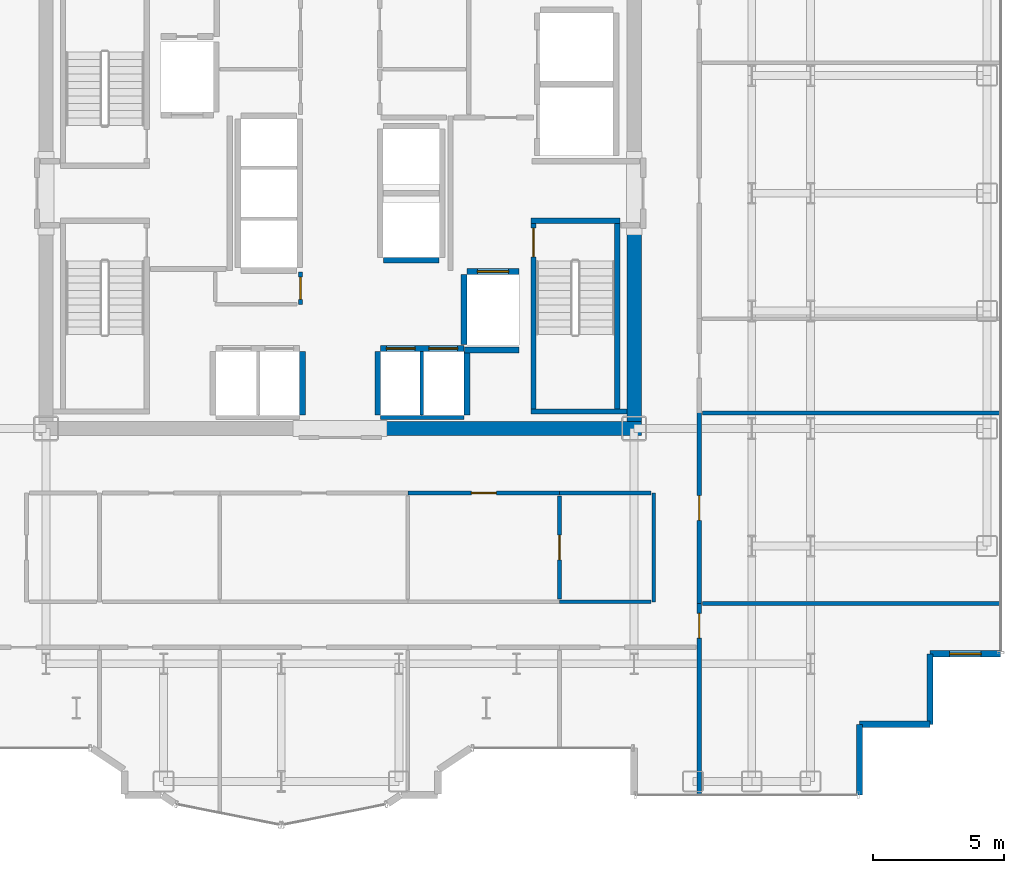
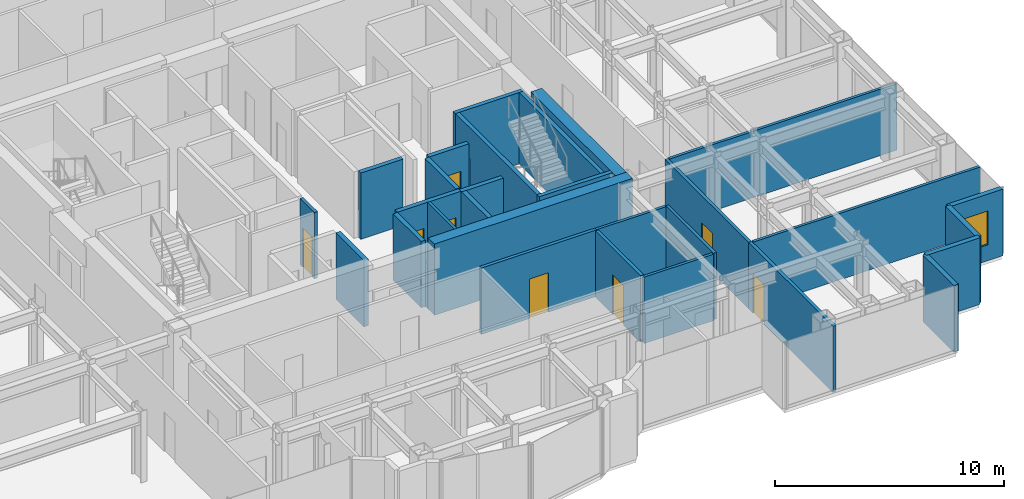
# One storey, part 19 of 23: 30 walls, 9 doors, 1 window, 10 openings.
"""IFC4 building model written with IfcOpenShell, lengths in metres."""

import ifcopenshell
import ifcopenshell.guid

model = None  # the IFC model being written
_history = None  # IfcOwnerHistory: only IFC2X3 demands one
_inside = {}  # id of a spatial element -> (the spatial element, [elements in it])
_under = {}  # id of a project, library or spatial element -> (it, [spatial elements below it])
_declared = {}  # id of a project -> (the project, [libraries it declares])
_typed = {}  # id of a type object -> (the type object, [elements of that type])
_made_of = {}  # id of a material, layer set ... -> (it, [elements and type objects made of it])


def new_model(schema):
    """Start an empty IFC model of exactly this schema.

    Asked for "IFC4X3", IfcOpenShell would pick the latest addendum, in which some entities
    have other attributes; the version numbers below select the first issue.
    IFC2X3 requires an IfcOwnerHistory on every rooted entity: one is made here for all.
    """
    global model, _history
    if schema == "IFC4X3":
        model = ifcopenshell.file(schema_version=(4, 3, 0, 0))
    else:
        model = ifcopenshell.file(schema=schema)
    _inside.clear()
    _under.clear()
    _declared.clear()
    _typed.clear()
    _made_of.clear()
    _history = None
    if model.schema == "IFC2X3":
        org = make("IfcOrganization", Name="unknown")
        user = make(
            "IfcPersonAndOrganization",
            ThePerson=make("IfcPerson", FamilyName="unknown"),
            TheOrganization=org,
        )
        app = make(
            "IfcApplication",
            ApplicationDeveloper=org,
            Version="unknown",
            ApplicationFullName="unknown",
            ApplicationIdentifier="unknown",
        )
        _history = make(
            "IfcOwnerHistory",
            OwningUser=user,
            OwningApplication=app,
            ChangeAction="ADDED",
            CreationDate=0,
        )
    return model


def make(cls, **values):
    """One entity of the class cls with the attributes given. An attribute that is None is left unset."""
    return model.create_entity(
        cls, **{name: value for name, value in values.items() if value is not None}
    )


def rooted(cls, **values):
    """An entity with a GlobalId (a new one), such as an element, a storey or a relation."""
    return make(cls, GlobalId=ifcopenshell.guid.new(), OwnerHistory=_history, **values)


def si_unit(unit_type, name, prefix=None):
    """IfcSIUnit, for example si_unit("LENGTHUNIT", "METRE", prefix="MILLI")."""
    return make("IfcSIUnit", UnitType=unit_type, Prefix=prefix, Name=name)


def assignment(units):
    """IfcUnitAssignment: the units of a project."""
    return None if units is None else make("IfcUnitAssignment", Units=units)


def point(xyz):
    """IfcCartesianPoint."""
    return None if xyz is None else make("IfcCartesianPoint", Coordinates=xyz)


def direction(xyz):
    """IfcDirection."""
    return None if xyz is None else make("IfcDirection", DirectionRatios=xyz)


def frame(location, z_axis=None, x_axis=None):
    """IfcAxis2Placement3D, a coordinate frame: its origin and axes. An axis left out is left unset."""
    return make(
        "IfcAxis2Placement3D",
        Location=point(location),
        Axis=direction(z_axis),
        RefDirection=direction(x_axis),
    )


def frame_2d(location, x_axis=None):
    """IfcAxis2Placement2D, a coordinate frame in the plane: its origin and x axis."""
    return make(
        "IfcAxis2Placement2D", Location=point(location), RefDirection=direction(x_axis)
    )


def origin():
    """The frame at (0, 0, 0) with its axes left unset."""
    return frame((0.0, 0.0, 0.0))


def place(relative_to, where):
    """IfcLocalPlacement: puts the frame where relative to a parent placement (None: the world)."""
    return make(
        "IfcLocalPlacement", PlacementRelTo=relative_to, RelativePlacement=where
    )


def context(
    kind, dimensions, precision=None, world=None, true_north=None, identifier=None
):
    """IfcGeometricRepresentationContext, for example the 3D "Model" context."""
    return make(
        "IfcGeometricRepresentationContext",
        ContextIdentifier=identifier,
        ContextType=kind,
        CoordinateSpaceDimension=dimensions,
        Precision=precision,
        WorldCoordinateSystem=world,
        TrueNorth=true_north,
    )


def subcontext(parent, identifier, kind, view, scale=None):
    """IfcGeometricRepresentationSubContext, for example "Body" below "Model"."""
    return make(
        "IfcGeometricRepresentationSubContext",
        ContextIdentifier=identifier,
        ContextType=kind,
        ParentContext=parent,
        TargetScale=scale,
        TargetView=view,
    )


def project(units=None, contexts=None):
    """IfcProject with its units and contexts."""
    return rooted(
        "IfcProject",
        Name="project",
        RepresentationContexts=contexts,
        UnitsInContext=assignment(units),
    )


def spatial(cls, under=None, at=None, **own):
    """A site, building, storey or space (cls), placed at a placement, below another one or the project."""
    s = rooted(cls, ObjectPlacement=at, **own)
    if under is not None:
        _under.setdefault(under.id(), (under, []))[1].append(s)
    return s


def profile(cls, at=None, kind="AREA", **sizes):
    """A parametric profile (cls). Its sizes go by their IFC names, for example OverallWidth=200.0."""
    return make(cls, ProfileType=kind, Position=at, **sizes)


def rectangle(**sizes):
    """IfcRectangleProfileDef."""
    return profile("IfcRectangleProfileDef", **sizes)


def extrude(swept, where, along, depth):
    """IfcExtrudedAreaSolid: the profile swept, set in the frame where, extruded along a direction by depth."""
    return make(
        "IfcExtrudedAreaSolid",
        SweptArea=swept,
        Position=where,
        ExtrudedDirection=direction(along),
        Depth=depth,
    )


def shape(context_of_items, identifier, shape_type, items):
    """IfcShapeRepresentation: the items that make up one representation, for example the "Body"."""
    return make(
        "IfcShapeRepresentation",
        ContextOfItems=context_of_items,
        RepresentationIdentifier=identifier,
        RepresentationType=shape_type,
        Items=items,
    )


def source(mapping_origin, context_of_items, identifier, shape_type, items):
    """IfcRepresentationMap: a shape defined once, which mapped items show again and again."""
    return make(
        "IfcRepresentationMap",
        MappingOrigin=mapping_origin,
        MappedRepresentation=shape(context_of_items, identifier, shape_type, items),
    )


def transform(
    local_origin,
    x_axis=None,
    y_axis=None,
    z_axis=None,
    scale=None,
    scale2=None,
    scale3=None,
    uniform=True,
):
    """IfcCartesianTransformationOperator3D, or its non-uniform kind. x_axis, y_axis, z_axis: its Axis1, 2, 3."""
    if uniform:
        return make(
            "IfcCartesianTransformationOperator3D",
            Axis1=direction(x_axis),
            Axis2=direction(y_axis),
            LocalOrigin=point(local_origin),
            Scale=scale,
            Axis3=direction(z_axis),
        )
    return make(
        "IfcCartesianTransformationOperator3DnonUniform",
        Axis1=direction(x_axis),
        Axis2=direction(y_axis),
        LocalOrigin=point(local_origin),
        Scale=scale,
        Axis3=direction(z_axis),
        Scale2=scale2,
        Scale3=scale3,
    )


def mapped(mapping_source, mapping_target):
    """IfcMappedItem: shows the shape of a source again, moved by a transform."""
    return make(
        "IfcMappedItem", MappingSource=mapping_source, MappingTarget=mapping_target
    )


def material(Name=None, Category=None):
    """IfcMaterial."""
    return make("IfcMaterial", Name=Name, Category=Category)


def layer(
    of_material, thickness, ventilated=None, Name=None, Category=None, Priority=None
):
    """IfcMaterialLayer: one layer of a wall or slab, of a material (None: an air gap)."""
    return make(
        "IfcMaterialLayer",
        Material=of_material,
        LayerThickness=thickness,
        IsVentilated=ventilated,
        Name=Name,
        Category=Category,
        Priority=Priority,
    )


def layer_set(layers, Name=None):
    """IfcMaterialLayerSet."""
    return make("IfcMaterialLayerSet", MaterialLayers=layers, LayerSetName=Name)


def made_of(thing, what):
    """Note that an element or type object is made of a material, layer set ...; save() writes the relation."""
    if what is not None:
        _made_of.setdefault(what.id(), (what, []))[1].append(thing)
    return thing


def type_object(cls, material=None, **own):
    """A type object (cls), such as IfcWallType, which elements share."""
    return made_of(rooted(cls, **own), material)


def element(
    cls,
    number,
    at=None,
    inside=None,
    cuts=None,
    type_object=None,
    material=None,
    context=None,
    identifier="Body",
    shape_type=None,
    held_by="IfcProductDefinitionShape",
    body=None,
    shapes=None,
    **own,
):
    """One element of the class cls, such as IfcWall. Its Tag is "e" and its number.

    at: its placement. inside: the storey or other place that contains it. cuts: it is an
    opening in that element (IfcRelVoidsElement). A single representation is given by context,
    identifier, shape_type and body (its items); several are given by shapes. held_by: the class
    of the entity that holds the representations. save() writes the other relations.
    """
    e = rooted(cls, Tag="e%d" % number, ObjectPlacement=at, **own)
    if body is not None:
        shapes = [shape(context, identifier, shape_type, body)]
    if shapes is not None:
        e.Representation = make(held_by, Representations=shapes)
    if inside is not None:
        _inside.setdefault(inside.id(), (inside, []))[1].append(e)
    if cuts is not None:
        rooted(
            "IfcRelVoidsElement", RelatingBuildingElement=cuts, RelatedOpeningElement=e
        )
    if type_object is not None:
        _typed.setdefault(type_object.id(), (type_object, []))[1].append(e)
    return made_of(e, material)


def fill(opening, filler):
    """IfcRelFillsElement: the door or window that sits in an opening."""
    return rooted(
        "IfcRelFillsElement",
        RelatingOpeningElement=opening,
        RelatedBuildingElement=filler,
    )


def aggregate(whole, parts):
    """IfcRelAggregates: a whole, such as a stair, and the parts it consists of."""
    return rooted("IfcRelAggregates", RelatingObject=whole, RelatedObjects=parts)


def save(model, path):
    """Write the relations noted so far, then the file.

    IfcRelAggregates (storeys below a building ...), IfcRelContainedInSpatialStructure (elements
    in a storey), IfcRelDefinesByType, IfcRelAssociatesMaterial and IfcRelDeclares: one each for
    every whole, place, type object, material and project.
    """
    for whole, parts in _under.values():
        aggregate(whole, parts)
    for where, things in _inside.values():
        rooted(
            "IfcRelContainedInSpatialStructure",
            RelatedElements=things,
            RelatingStructure=where,
        )
    for kind, things in _typed.values():
        rooted("IfcRelDefinesByType", RelatedObjects=things, RelatingType=kind)
    for what, things in _made_of.values():
        rooted("IfcRelAssociatesMaterial", RelatedObjects=things, RelatingMaterial=what)
    for by, libraries in _declared.values():
        rooted("IfcRelDeclares", RelatingContext=by, RelatedDefinitions=libraries)
    model.write(path)


model = new_model("IFC4")

# Units and contexts
model_context = context("Model", 3, precision=1e-05, world=origin(), true_north=direction((0.0, 1.0)))
body_context = subcontext(model_context, "Body", "Model", "MODEL_VIEW")
ifc_project = project(units=[si_unit("LENGTHUNIT", "METRE"), si_unit("AREAUNIT", "SQUARE_METRE"), si_unit("VOLUMEUNIT", "CUBIC_METRE"), si_unit("PLANEANGLEUNIT", "RADIAN"), si_unit("MASSUNIT", "GRAM", prefix="KILO")], contexts=[model_context])

# Site, building, storey
site_placement = place(None, origin())
site = spatial("IfcSite", under=ifc_project, at=site_placement, CompositionType="ELEMENT")
building_placement = place(site_placement, origin())
building = spatial("IfcBuilding", under=site, at=building_placement, Name="Nefas-Gora Pilgrimage Tower", CompositionType="ELEMENT")
storey_placement = place(building_placement, frame((0.0, 0.0, 152.60009765625)))
storey = spatial("IfcBuildingStorey", under=building, at=storey_placement, Name="L37", CompositionType="ELEMENT", Elevation=152.60009765625)

# Walls
ifc_material_1 = material(Name="Concrete C60/75", Category="concrete")
ifc_layer_1 = layer(ifc_material_1, 0.550048828125)
ifc_layer_set_1 = layer_set([ifc_layer_1], Name="Concrete C60/75")
wall_type_1 = type_object("IfcWallType", Name="SW-CORE-550", PredefinedType="SHEAR", material=ifc_layer_set_1)
shared_shape_1 = source(origin(), body_context, "Body", "SweptSolid", [
    extrude(rectangle(XDim=9.974853515625, YDim=0.550048828125, at=frame_2d((4.9873046875, 0.0))), origin(), (0.0, 0.0, 1.0), 3.7998046875),
])
wall_1_placement = place(storey_placement, frame((1.550048828125, -9.0, 0.0), z_axis=(0.0, 0.0, 1.0), x_axis=(1.0, 0.0, 0.0)))
element("IfcWall", 1, at=wall_1_placement, inside=storey, type_object=wall_type_1, Name="L37 Core Shear Wall S-East", PredefinedType="SHEAR", context=body_context, shape_type="MappedRepresentation", body=[
    mapped(shared_shape_1, transform((0.0, 0.0, 0.0), x_axis=(1.0, 0.0, 0.0), y_axis=(0.0, 1.0, 0.0), z_axis=(0.0, 0.0, 1.0), scale=1.0)),
])
shared_shape_2 = source(origin(), body_context, "Body", "SweptSolid", [
    extrude(rectangle(XDim=7.375, YDim=0.550048828125, at=frame_2d((3.6875, 0.0))), origin(), (0.0, 0.0, 1.0), 3.7998046875),
])
wall_2_placement = place(storey_placement, frame((11.25, -8.72509765625, 0.0), z_axis=(0.0, 0.0, 1.0), x_axis=(0.0, 1.0, 0.0)))
element("IfcWall", 2, at=wall_2_placement, inside=storey, type_object=wall_type_1, Name="L37 Core Shear Wall E-South", PredefinedType="SHEAR", context=body_context, shape_type="MappedRepresentation", body=[
    mapped(shared_shape_2, transform((0.0, 0.0, 0.0), x_axis=(1.0, 0.0, 0.0), y_axis=(0.0, 1.0, 0.0), z_axis=(0.0, 0.0, 1.0), scale=1.0)),
])
ifc_material_2 = material(Name="Precast concrete C45/55", Category="concrete")
ifc_layer_2 = layer(ifc_material_2, 0.239990234375)
ifc_layer_set_2 = layer_set([ifc_layer_2], Name="Precast concrete C45/55")
wall_type_2 = type_object("IfcWallType", Name="EW-SERR-240", PredefinedType="SHEAR", material=ifc_layer_set_2)
shared_shape_3 = source(origin(), body_context, "Body", "SweptSolid", [
    extrude(rectangle(XDim=2.699951171875, YDim=0.239990234375, at=frame_2d((1.35009765625, 0.0))), origin(), (0.0, 0.0, 1.0), 3.5498046875),
])
for number, where, z_axis, x_axis, name in (
    (3, (19.8701171875, -23.02001953125, 0.0), (0.0, 0.0, 1.0), (0.0, 1.0, 0.0), "L37 Serrated Corner Shear Pier Wall 2"),
    (4, (19.8701171875, -20.320068359375, 0.0), (0.0, 0.0, 1.0), (1.0, 0.0, 0.0), "L37 Serrated Corner Shear Pier Wall 3"),
    (5, (22.570068359375, -20.320068359375, 0.0), (0.0, 0.0, 1.0), (0.0, 1.0, 0.0), "L37 Serrated Corner Shear Pier Wall 4"),
):
    element("IfcWall", number, at=place(storey_placement, frame(where, z_axis=z_axis, x_axis=x_axis)), inside=storey, type_object=wall_type_2, Name=name, PredefinedType="SHEAR", context=body_context, shape_type="MappedRepresentation", body=[
        mapped(shared_shape_3, transform((0.0, 0.0, 0.0), x_axis=(1.0, 0.0, 0.0), y_axis=(0.0, 1.0, 0.0), z_axis=(0.0, 0.0, 1.0), scale=1.0)),
    ])

# Wall, opening, window
wall_3_placement = place(storey_placement, frame((22.570068359375, -17.6201171875, 0.0), z_axis=(0.0, 0.0, 1.0), x_axis=(1.0, 0.0, 0.0)))
wall_3 = element("IfcWall", 6, at=wall_3_placement, inside=storey, type_object=wall_type_2, Name="L37 Serrated Corner Shear Pier Wall 5", PredefinedType="SHEAR", context=body_context, shape_type="MappedRepresentation", body=[
    mapped(shared_shape_3, transform((0.0, 0.0, 0.0), x_axis=(1.0, 0.0, 0.0), y_axis=(0.0, 1.0, 0.0), z_axis=(0.0, 0.0, 1.0), scale=1.0)),
])
opening_1_placement = place(wall_3_placement, frame((0.75, 0.0, 0.85009765625)))
opening_1 = element("IfcOpeningElement", 7, at=opening_1_placement, cuts=wall_3, Name="Opening W-V1", PredefinedType="OPENING", context=body_context, shape_type="SweptSolid", body=[
    extrude(rectangle(XDim=1.199951171875, YDim=1.800048828125, at=frame_2d((0.60009765625, 0.89990234375))), frame((0.0, 0.1298828125, 0.0), z_axis=(0.0, -1.0, 0.0), x_axis=(1.0, 0.0, 0.0)), (0.0, 0.0, 1.0), 0.260009765625),
])
ifc_material_3 = material(Name="Dark ceramic-fritted operable aluminium-glass window", Category="aluminium")
window_type = type_object("IfcWindowType", Name="WIN-VENT-1200x1800", PartitioningType="SINGLE_PANEL", PredefinedType="WINDOW", material=ifc_material_3)
shared_shape_4 = source(origin(), body_context, "Body", "SweptSolid", [
    extrude(rectangle(XDim=1.199951171875, YDim=1.800048828125, at=frame_2d((0.60009765625, 0.89990234375))), frame((0.0, 0.030029296875, 0.0), z_axis=(0.0, -1.0, 0.0), x_axis=(1.0, 0.0, 0.0)), (0.0, 0.0, 1.0), 0.06005859375),
])
window_placement = place(opening_1_placement, origin())
window = element("IfcWindow", 8, at=window_placement, inside=storey, type_object=window_type, Name="L37 Operable Parallel-Outswing Window 5", OverallHeight=1.800048828125, OverallWidth=1.199951171875, PartitioningType="SINGLE_PANEL", PredefinedType="WINDOW", context=body_context, shape_type="MappedRepresentation", body=[
    mapped(shared_shape_4, transform((0.0, 0.0, 0.0), x_axis=(1.0, 0.0, 0.0), y_axis=(0.0, 1.0, 0.0), z_axis=(0.0, 0.0, 1.0), scale=1.0)),
])
fill(opening_1, window)

# Wall
ifc_material_4 = material(Name="Concrete C45/55", Category="concrete")
ifc_layer_3 = layer(ifc_material_4, 0.199951171875)
ifc_layer_set_3 = layer_set([ifc_layer_3], Name="Concrete C45/55")
wall_type_3 = type_object("IfcWallType", Name="IW-STAIR-200", PredefinedType="SOLIDWALL", material=ifc_layer_set_3)
shared_shape_5 = source(origin(), body_context, "Body", "SweptSolid", [
    extrude(rectangle(XDim=3.39990234375, YDim=0.199951171875, at=frame_2d((1.699951171875, 0.0))), origin(), (0.0, 0.0, 1.0), 3.7998046875),
])
wall_4_placement = place(storey_placement, frame((7.300048828125, -1.050048828125, 0.0), z_axis=(0.0, 0.0, 1.0), x_axis=(1.0, 0.0, 0.0)))
element("IfcWall", 9, at=wall_4_placement, inside=storey, type_object=wall_type_3, Name="L37 Stairwell Shear Wall ST-02-near", PredefinedType="SOLIDWALL", context=body_context, shape_type="MappedRepresentation", body=[
    mapped(shared_shape_5, transform((0.0, 0.0, 0.0), x_axis=(1.0, 0.0, 0.0), y_axis=(0.0, 1.0, 0.0), z_axis=(0.0, 0.0, 1.0), scale=1.0)),
])

# Wall, opening, door
shared_shape_6 = source(origin(), body_context, "Body", "SweptSolid", [
    extrude(rectangle(XDim=7.10009765625, YDim=0.199951171875, at=frame_2d((3.550048828125, 0.0))), origin(), (0.0, 0.0, 1.0), 3.7998046875),
])
wall_5_placement = place(storey_placement, frame((7.39990234375, -1.14990234375, 0.0), z_axis=(0.0, 0.0, 1.0), x_axis=(0.0, -1.0, 0.0)))
wall_5 = element("IfcWall", 10, at=wall_5_placement, inside=storey, type_object=wall_type_3, Name="L37 Stairwell Shear Wall ST-02-left", PredefinedType="SOLIDWALL", context=body_context, shape_type="MappedRepresentation", body=[
    mapped(shared_shape_6, transform((0.0, 0.0, 0.0), x_axis=(1.0, 0.0, 0.0), y_axis=(0.0, 1.0, 0.0), z_axis=(0.0, 0.0, 1.0), scale=1.0)),
])
opening_2_placement = place(wall_5_placement, frame((0.179931640625, 0.0, 0.0)))
opening_2 = element("IfcOpeningElement", 11, at=opening_2_placement, cuts=wall_5, Name="Opening ID-ST1", PredefinedType="OPENING", context=body_context, shape_type="SweptSolid", body=[
    extrude(rectangle(XDim=1.10009765625, YDim=2.14990234375, at=frame_2d((0.550048828125, 1.074951171875))), frame((0.0, 0.10986328125, 0.0), z_axis=(0.0, -1.0, 0.0), x_axis=(1.0, 0.0, 0.0)), (0.0, 0.0, 1.0), 0.219970703125),
])
ifc_material_5 = material(Name="Painted galvanised steel fire stair door", Category="steel")
door_type_1 = type_object("IfcDoorType", Name="DR-INT-STAIR-1100", OperationType="NOTDEFINED", PredefinedType="DOOR", material=ifc_material_5)
shared_shape_7 = source(origin(), body_context, "Body", "SweptSolid", [
    extrude(rectangle(XDim=1.10009765625, YDim=2.14990234375, at=frame_2d((0.550048828125, 1.074951171875))), frame((0.0, 0.02490234375, 0.0), z_axis=(0.0, -1.0, 0.0), x_axis=(1.0, 0.0, 0.0)), (0.0, 0.0, 1.0), 0.050048828125),
])
door_1_placement = place(opening_2_placement, origin())
door_1 = element("IfcDoor", 12, at=door_1_placement, inside=storey, type_object=door_type_1, Name="L37 Protected Exit Stair Door ST-02", OperationType="SINGLE_SWING_RIGHT", OverallHeight=2.14990234375, OverallWidth=1.10009765625, PredefinedType="DOOR", context=body_context, shape_type="MappedRepresentation", body=[
    mapped(shared_shape_7, transform((0.0, 0.0, 0.0), x_axis=(1.0, 0.0, 0.0), y_axis=(0.0, 1.0, 0.0), z_axis=(0.0, 0.0, 1.0), scale=1.0)),
])
fill(opening_2, door_1)

# Walls
wall_6_placement = place(storey_placement, frame((10.60009765625, -1.14990234375, 0.0), z_axis=(0.0, 0.0, 1.0), x_axis=(0.0, -1.0, 0.0)))
element("IfcWall", 13, at=wall_6_placement, inside=storey, type_object=wall_type_3, Name="L37 Stairwell Shear Wall ST-02-right", PredefinedType="SOLIDWALL", context=body_context, shape_type="MappedRepresentation", body=[
    mapped(shared_shape_6, transform((0.0, 0.0, 0.0), x_axis=(1.0, 0.0, 0.0), y_axis=(0.0, 1.0, 0.0), z_axis=(0.0, 0.0, 1.0), scale=1.0)),
])
shared_shape_8 = source(origin(), body_context, "Body", "SweptSolid", [
    extrude(rectangle(XDim=3.679931640625, YDim=0.199951171875, at=frame_2d((1.83984375, 0.0))), origin(), (0.0, 0.0, 1.0), 3.7998046875),
])
wall_7_placement = place(storey_placement, frame((7.300048828125, -8.35009765625, 0.0), z_axis=(0.0, 0.0, 1.0), x_axis=(1.0, 0.0, 0.0)))
element("IfcWall", 14, at=wall_7_placement, inside=storey, type_object=wall_type_3, Name="L37 Stairwell Shear Wall ST-02-far", PredefinedType="SOLIDWALL", context=body_context, shape_type="MappedRepresentation", body=[
    mapped(shared_shape_8, transform((0.0, 0.0, 0.0), x_axis=(1.0, 0.0, 0.0), y_axis=(0.0, 1.0, 0.0), z_axis=(0.0, 0.0, 1.0), scale=1.0)),
])

# Wall, opening, door
ifc_material_6 = material(Name="Concrete C40/50", Category="concrete")
ifc_layer_4 = layer(ifc_material_6, 0.219970703125)
ifc_layer_set_4 = layer_set([ifc_layer_4], Name="Concrete C40/50")
wall_type_4 = type_object("IfcWallType", Name="IW-SHAFT-220", PredefinedType="SOLIDWALL", material=ifc_layer_set_4)
shared_shape_9 = source(origin(), body_context, "Body", "SweptSolid", [
    extrude(rectangle(XDim=2.0, YDim=0.219970703125, at=frame_2d((1.0, 0.0))), origin(), (0.0, 0.0, 1.0), 3.534912109375),
])
wall_8_placement = place(storey_placement, frame((6.85009765625, -2.989990234375, 0.0), z_axis=(0.0, 0.0, 1.0), x_axis=(-1.0, 0.0, 0.0)))
wall_8 = element("IfcWall", 15, at=wall_8_placement, inside=storey, type_object=wall_type_4, Name="L37 Hoistway Wall FFL-02-N", PredefinedType="SOLIDWALL", context=body_context, shape_type="MappedRepresentation", body=[
    mapped(shared_shape_9, transform((0.0, 0.0, 0.0), x_axis=(1.0, 0.0, 0.0), y_axis=(0.0, 1.0, 0.0), z_axis=(0.0, 0.0, 1.0), scale=1.0)),
])
opening_3_placement = place(wall_8_placement, frame((0.39990234375, 0.0, 0.0)))
opening_3 = element("IfcOpeningElement", 16, at=opening_3_placement, cuts=wall_8, Name="Opening LD-FF", PredefinedType="OPENING", context=body_context, shape_type="SweptSolid", body=[
    extrude(rectangle(XDim=1.199951171875, YDim=2.199951171875, at=frame_2d((0.60009765625, 1.10009765625))), frame((0.0, 0.119873046875, 0.0), z_axis=(0.0, -1.0, 0.0), x_axis=(1.0, 0.0, 0.0)), (0.0, 0.0, 1.0), 0.239990234375),
])
ifc_material_7 = material(Name="Fire-service sliding lift landing door")
door_type_2 = type_object("IfcDoorType", Name="DR-LIFT-FSAE-1200", OperationType="SLIDING_TO_LEFT", PredefinedType="DOOR", material=ifc_material_7)
shared_shape_10 = source(origin(), body_context, "Body", "SweptSolid", [
    extrude(rectangle(XDim=1.199951171875, YDim=2.199951171875, at=frame_2d((0.60009765625, 1.10009765625))), frame((0.0, 0.02490234375, 0.0), z_axis=(0.0, -1.0, 0.0), x_axis=(1.0, 0.0, 0.0)), (0.0, 0.0, 1.0), 0.050048828125),
])
door_2_placement = place(opening_3_placement, origin())
door_2 = element("IfcDoor", 17, at=door_2_placement, inside=storey, type_object=door_type_2, Name="L37 Sliding Lift Landing Door FFL-02", OperationType="SLIDING_TO_LEFT", OverallHeight=2.199951171875, OverallWidth=1.199951171875, PredefinedType="DOOR", context=body_context, shape_type="MappedRepresentation", body=[
    mapped(shared_shape_10, transform((0.0, 0.0, 0.0), x_axis=(1.0, 0.0, 0.0), y_axis=(0.0, 1.0, 0.0), z_axis=(0.0, 0.0, 1.0), scale=1.0)),
])
fill(opening_3, door_2)

# Wall
shared_shape_11 = source(origin(), body_context, "Body", "SweptSolid", [
    extrude(rectangle(XDim=2.679931640625, YDim=0.219970703125, at=frame_2d((1.33984375, 0.0))), origin(), (0.0, 0.0, 1.0), 3.534912109375),
])
wall_9_placement = place(storey_placement, frame((4.739990234375, -3.110107421875, 0.0), z_axis=(0.0, 0.0, 1.0), x_axis=(0.0, -1.0, 0.0)))
element("IfcWall", 18, at=wall_9_placement, inside=storey, type_object=wall_type_4, Name="L37 Hoistway Wall FFL-02-W", PredefinedType="SOLIDWALL", context=body_context, shape_type="MappedRepresentation", body=[
    mapped(shared_shape_11, transform((0.0, 0.0, 0.0), x_axis=(1.0, 0.0, 0.0), y_axis=(0.0, 1.0, 0.0), z_axis=(0.0, 0.0, 1.0), scale=1.0)),
])

# Wall, openings, doors
shared_shape_12 = source(origin(), body_context, "Body", "SweptSolid", [
    extrude(rectangle(XDim=3.199951171875, YDim=0.219970703125, at=frame_2d((1.60009765625, 0.0))), origin(), (0.0, 0.0, 1.0), 3.534912109375),
])
wall_10_placement = place(storey_placement, frame((4.75, -5.93994140625, 0.0), z_axis=(0.0, 0.0, 1.0), x_axis=(-1.0, 0.0, 0.0)))
wall_10 = element("IfcWall", 19, at=wall_10_placement, inside=storey, type_object=wall_type_4, Name="L37 Hoistway Wall PL2-E-N", PredefinedType="SOLIDWALL", context=body_context, shape_type="MappedRepresentation", body=[
    mapped(shared_shape_12, transform((0.0, 0.0, 0.0), x_axis=(1.0, 0.0, 0.0), y_axis=(0.0, 1.0, 0.0), z_axis=(0.0, 0.0, 1.0), scale=1.0)),
])
opening_4_placement = place(wall_10_placement, frame((1.875, 0.0, 0.0)))
opening_4 = element("IfcOpeningElement", 20, at=opening_4_placement, cuts=wall_10, Name="Opening LD-01", PredefinedType="OPENING", context=body_context, shape_type="SweptSolid", body=[
    extrude(rectangle(XDim=1.10009765625, YDim=2.199951171875, at=frame_2d((0.550048828125, 1.10009765625))), frame((0.0, 0.119873046875, 0.0), z_axis=(0.0, -1.0, 0.0), x_axis=(1.0, 0.0, 0.0)), (0.0, 0.0, 1.0), 0.239990234375),
])
opening_5_placement = place(wall_10_placement, frame((0.25, 0.0, 0.0)))
opening_5 = element("IfcOpeningElement", 21, at=opening_5_placement, cuts=wall_10, Name="Opening LD-01", PredefinedType="OPENING", context=body_context, shape_type="SweptSolid", body=[
    extrude(rectangle(XDim=1.10009765625, YDim=2.199951171875, at=frame_2d((0.550048828125, 1.10009765625))), frame((0.0, 0.119873046875, 0.0), z_axis=(0.0, -1.0, 0.0), x_axis=(1.0, 0.0, 0.0)), (0.0, 0.0, 1.0), 0.239990234375),
])
ifc_material_8 = material(Name="Brushed stainless sliding lift landing door")
door_type_3 = type_object("IfcDoorType", Name="DR-LIFT-PASS-1100", OperationType="DOUBLE_DOOR_SLIDING", PredefinedType="DOOR", material=ifc_material_8)
shared_shape_13 = source(origin(), body_context, "Body", "SweptSolid", [
    extrude(rectangle(XDim=1.10009765625, YDim=2.199951171875, at=frame_2d((0.550048828125, 1.10009765625))), frame((0.0, 0.02490234375, 0.0), z_axis=(0.0, -1.0, 0.0), x_axis=(1.0, 0.0, 0.0)), (0.0, 0.0, 1.0), 0.050048828125),
])
door_3_placement = place(opening_4_placement, origin())
door_3 = element("IfcDoor", 22, at=door_3_placement, inside=storey, type_object=door_type_3, Name="L37 Sliding Lift Landing Door PL2-03", OperationType="DOUBLE_DOOR_SLIDING", OverallHeight=2.199951171875, OverallWidth=1.10009765625, PredefinedType="DOOR", context=body_context, shape_type="MappedRepresentation", body=[
    mapped(shared_shape_13, transform((0.0, 0.0, 0.0), x_axis=(1.0, 0.0, 0.0), y_axis=(0.0, 1.0, 0.0), z_axis=(0.0, 0.0, 1.0), scale=1.0)),
])
fill(opening_4, door_3)
door_4_placement = place(opening_5_placement, origin())
door_4 = element("IfcDoor", 23, at=door_4_placement, inside=storey, type_object=door_type_3, Name="L37 Sliding Lift Landing Door PL2-04", OperationType="DOUBLE_DOOR_SLIDING", OverallHeight=2.199951171875, OverallWidth=1.10009765625, PredefinedType="DOOR", context=body_context, shape_type="MappedRepresentation", body=[
    mapped(shared_shape_13, transform((0.0, 0.0, 0.0), x_axis=(1.0, 0.0, 0.0), y_axis=(0.0, 1.0, 0.0), z_axis=(0.0, 0.0, 1.0), scale=1.0)),
])
fill(opening_5, door_4)

# Walls
shared_shape_14 = source(origin(), body_context, "Body", "SweptSolid", [
    extrude(rectangle(XDim=2.429931640625, YDim=0.219970703125, at=frame_2d((1.21484375, 0.0))), origin(), (0.0, 0.0, 1.0), 3.534912109375),
])
for number, where, z_axis, x_axis, name in (
    (24, (-1.43994140625, -8.489990234375, 0.0), (0.0, 0.0, 1.0), (0.0, 1.0, 0.0), "L37 Hoistway Wall PL2-W-E"),
    (25, (1.43994140625, -6.06005859375, 0.0), (0.0, 0.0, 1.0), (0.0, -1.0, 0.0), "L37 Hoistway Wall PL2-E-W"),
    (26, (4.860107421875, -8.489990234375, 0.0), (0.0, 0.0, 1.0), (0.0, 1.0, 0.0), "L37 Hoistway Wall PL2-E-E"),
):
    element("IfcWall", number, at=place(storey_placement, frame(where, z_axis=z_axis, x_axis=x_axis)), inside=storey, type_object=wall_type_4, Name=name, PredefinedType="SOLIDWALL", context=body_context, shape_type="MappedRepresentation", body=[
        mapped(shared_shape_14, transform((0.0, 0.0, 0.0), x_axis=(1.0, 0.0, 0.0), y_axis=(0.0, 1.0, 0.0), z_axis=(0.0, 0.0, 1.0), scale=1.0)),
    ])
ifc_material_9 = material(Name="Gypsum twin-stud partition")
ifc_layer_5 = layer(ifc_material_9, 0.139892578125)
ifc_layer_set_5 = layer_set([ifc_layer_5], Name="Gypsum twin-stud partition")
wall_type_5 = type_object("IfcWallType", Name="IW-UNIT-140", PredefinedType="PARTITIONING", material=ifc_layer_set_5)
shared_shape_15 = source(origin(), body_context, "Body", "SweptSolid", [
    extrude(rectangle(XDim=2.429931640625, YDim=0.139892578125, at=frame_2d((1.21484375, 0.0))), origin(), (0.0, 0.0, 1.0), 3.534912109375),
])
wall_11_placement = place(storey_placement, frame((3.125, -8.489990234375, 0.0), z_axis=(0.0, 0.0, 1.0), x_axis=(0.0, 1.0, 0.0)))
element("IfcWall", 27, at=wall_11_placement, inside=storey, type_object=wall_type_5, Name="L37 Hoistway Wall PL2-E-DIV", PredefinedType="PARTITIONING", context=body_context, shape_type="MappedRepresentation", body=[
    mapped(shared_shape_15, transform((0.0, 0.0, 0.0), x_axis=(1.0, 0.0, 0.0), y_axis=(0.0, 1.0, 0.0), z_axis=(0.0, 0.0, 1.0), scale=1.0)),
])
shared_shape_16 = source(origin(), body_context, "Body", "SweptSolid", [
    extrude(rectangle(XDim=2.130126953125, YDim=0.219970703125, at=frame_2d((1.06494140625, 0.0))), origin(), (0.0, 0.0, 1.0), 3.534912109375),
])
wall_12_placement = place(storey_placement, frame((1.659912109375, -2.56005859375, 0.0), z_axis=(0.0, 0.0, 1.0), x_axis=(1.0, 0.0, 0.0)))
element("IfcWall", 28, at=wall_12_placement, inside=storey, type_object=wall_type_4, Name="L37 Hoistway Wall OBS-01-S", PredefinedType="SOLIDWALL", context=body_context, shape_type="MappedRepresentation", body=[
    mapped(shared_shape_16, transform((0.0, 0.0, 0.0), x_axis=(1.0, 0.0, 0.0), y_axis=(0.0, 1.0, 0.0), z_axis=(0.0, 0.0, 1.0), scale=1.0)),
])
ifc_material_10 = material(Name="Gypsum acoustic stud partition")
ifc_layer_6 = layer(ifc_material_10, 0.159912109375)
ifc_layer_set_6 = layer_set([ifc_layer_6], Name="Gypsum acoustic stud partition")
wall_type_6 = type_object("IfcWallType", Name="IW-CORR-160", PredefinedType="PARTITIONING", material=ifc_layer_set_6)
shared_shape_17 = source(origin(), body_context, "Body", "SweptSolid", [
    extrude(rectangle(XDim=3.199951171875, YDim=0.159912109375, at=frame_2d((1.60009765625, 0.0))), origin(), (0.0, 0.0, 1.0), 2.4248046875),
])
wall_13_placement = place(storey_placement, frame((1.550048828125, -8.580078125, 0.0), z_axis=(0.0, 0.0, 1.0), x_axis=(1.0, 0.0, 0.0)))
element("IfcWall", 29, at=wall_13_placement, inside=storey, type_object=wall_type_6, Name="L37 Hoistway Wall PL2-E-S", PredefinedType="PARTITIONING", context=body_context, shape_type="MappedRepresentation", body=[
    mapped(shared_shape_17, transform((0.0, 0.0, 0.0), x_axis=(1.0, 0.0, 0.0), y_axis=(0.0, 1.0, 0.0), z_axis=(0.0, 0.0, 1.0), scale=1.0)),
])
shared_shape_18 = source(origin(), body_context, "Body", "SweptSolid", [
    extrude(rectangle(XDim=2.09521484375, YDim=0.219970703125, at=frame_2d((1.047607421875, 0.0))), origin(), (0.0, 0.0, 1.0), 3.534912109375),
])
wall_14_placement = place(storey_placement, frame((4.7548828125, -6.0, 0.0), z_axis=(0.0, 0.0, 1.0), x_axis=(1.0, 0.0, 0.0)))
element("IfcWall", 30, at=wall_14_placement, inside=storey, type_object=wall_type_4, Name="L37 Riser Shaft Wall 3", PredefinedType="SOLIDWALL", context=body_context, shape_type="MappedRepresentation", body=[
    mapped(shared_shape_18, transform((0.0, 0.0, 0.0), x_axis=(1.0, 0.0, 0.0), y_axis=(0.0, 1.0, 0.0), z_axis=(0.0, 0.0, 1.0), scale=1.0)),
])

# Wall, opening, door
shared_shape_19 = source(origin(), body_context, "Body", "SweptSolid", [
    extrude(rectangle(XDim=1.25, YDim=0.159912109375, at=frame_2d((0.625, 0.0))), origin(), (0.0, 0.0, 1.0), 3.534912109375),
])
wall_15_placement = place(storey_placement, frame((-1.52001953125, -4.260009765625, 0.0), z_axis=(0.0, 0.0, 1.0), x_axis=(0.0, 1.0, 0.0)))
wall_15 = element("IfcWall", 31, at=wall_15_placement, inside=storey, type_object=wall_type_6, Name="L37 Guest Self-Service Laundry Room Wall 26", PredefinedType="PARTITIONING", context=body_context, shape_type="MappedRepresentation", body=[
    mapped(shared_shape_19, transform((0.0, 0.0, 0.0), x_axis=(1.0, 0.0, 0.0), y_axis=(0.0, 1.0, 0.0), z_axis=(0.0, 0.0, 1.0), scale=1.0)),
])
opening_6_placement = place(wall_15_placement, frame((0.199951171875, 0.0, 0.0)))
opening_6 = element("IfcOpeningElement", 32, at=opening_6_placement, cuts=wall_15, Name="Opening ID-BT1", PredefinedType="OPENING", context=body_context, shape_type="SweptSolid", body=[
    extrude(rectangle(XDim=0.85009765625, YDim=2.10009765625, at=frame_2d((0.425048828125, 1.050048828125))), frame((0.0, 0.08984375, 0.0), z_axis=(0.0, -1.0, 0.0), x_axis=(1.0, 0.0, 0.0)), (0.0, 0.0, 1.0), 0.179931640625),
])
ifc_material_11 = material(Name="Moisture-resistant fire-rated timber door", Category="wood")
door_type_4 = type_object("IfcDoorType", Name="DR-INT-BATH-850", OperationType="NOTDEFINED", PredefinedType="DOOR", material=ifc_material_11)
shared_shape_20 = source(origin(), body_context, "Body", "SweptSolid", [
    extrude(rectangle(XDim=0.85009765625, YDim=2.10009765625, at=frame_2d((0.425048828125, 1.050048828125))), frame((0.0, 0.02490234375, 0.0), z_axis=(0.0, -1.0, 0.0), x_axis=(1.0, 0.0, 0.0)), (0.0, 0.0, 1.0), 0.050048828125),
])
door_5_placement = place(opening_6_placement, origin())
door_5 = element("IfcDoor", 33, at=door_5_placement, inside=storey, type_object=door_type_4, Name="L37 Guest Self-Service Laundry Room Door 11", OperationType="SINGLE_SWING_RIGHT", OverallHeight=2.10009765625, OverallWidth=0.85009765625, PredefinedType="DOOR", context=body_context, shape_type="MappedRepresentation", body=[
    mapped(shared_shape_20, transform((0.0, 0.0, 0.0), x_axis=(1.0, 0.0, 0.0), y_axis=(0.0, 1.0, 0.0), z_axis=(0.0, 0.0, 1.0), scale=1.0)),
])
fill(opening_6, door_5)

shared_shape_21 = source(origin(), body_context, "Body", "SweptSolid", [
    extrude(rectangle(XDim=5.81005859375, YDim=0.159912109375, at=frame_2d((2.905029296875, 0.0))), origin(), (0.0, 0.0, 1.0), 3.534912109375),
])
wall_16_placement = place(storey_placement, frame((2.594970703125, -11.469970703125, 0.0), z_axis=(0.0, 0.0, 1.0), x_axis=(1.0, 0.0, 0.0)))
wall_16 = element("IfcWall", 34, at=wall_16_placement, inside=storey, type_object=wall_type_6, Name="L37 Pilgrim Contemplative Lounge Partition Wall 89", PredefinedType="PARTITIONING", context=body_context, shape_type="MappedRepresentation", body=[
    mapped(shared_shape_21, transform((0.0, 0.0, 0.0), x_axis=(1.0, 0.0, 0.0), y_axis=(0.0, 1.0, 0.0), z_axis=(0.0, 0.0, 1.0), scale=1.0)),
])
opening_7_placement = place(wall_16_placement, frame((2.429931640625, 0.0, 0.0)))
opening_7 = element("IfcOpeningElement", 35, at=opening_7_placement, cuts=wall_16, Name="Opening ID-GR1", PredefinedType="OPENING", context=body_context, shape_type="SweptSolid", body=[
    extrude(rectangle(XDim=0.949951171875, YDim=2.10009765625, at=frame_2d((0.47509765625, 1.050048828125))), frame((0.0, 0.08984375, 0.0), z_axis=(0.0, -1.0, 0.0), x_axis=(1.0, 0.0, 0.0)), (0.0, 0.0, 1.0), 0.179931640625),
])
ifc_material_12 = material(Name="Solid core oak fire-rated guest entrance door")
door_type_5 = type_object("IfcDoorType", Name="DR-INT-GUEST-950", OperationType="NOTDEFINED", PredefinedType="DOOR", material=ifc_material_12)
shared_shape_22 = source(origin(), body_context, "Body", "SweptSolid", [
    extrude(rectangle(XDim=0.949951171875, YDim=2.10009765625, at=frame_2d((0.47509765625, 1.050048828125))), frame((0.0, 0.02490234375, 0.0), z_axis=(0.0, -1.0, 0.0), x_axis=(1.0, 0.0, 0.0)), (0.0, 0.0, 1.0), 0.050048828125),
])
door_6_placement = place(opening_7_placement, origin())
door_6 = element("IfcDoor", 36, at=door_6_placement, inside=storey, type_object=door_type_5, Name="L37 Pilgrim Contemplative Lounge Door 39", OperationType="SINGLE_SWING_RIGHT", OverallHeight=2.10009765625, OverallWidth=0.949951171875, PredefinedType="DOOR", context=body_context, shape_type="MappedRepresentation", body=[
    mapped(shared_shape_22, transform((0.0, 0.0, 0.0), x_axis=(1.0, 0.0, 0.0), y_axis=(0.0, 1.0, 0.0), z_axis=(0.0, 0.0, 1.0), scale=1.0)),
])
fill(opening_7, door_6)

shared_shape_23 = source(origin(), body_context, "Body", "SweptSolid", [
    extrude(rectangle(XDim=7.3525390625, YDim=0.159912109375, at=frame_2d((3.67626953125, 0.0))), origin(), (0.0, 0.0, 1.0), 3.534912109375),
])
wall_17_placement = place(storey_placement, frame((13.739990234375, -23.0400390625, 0.0), z_axis=(0.0, 0.0, 1.0), x_axis=(0.0, 1.0, 0.0)))
wall_17 = element("IfcWall", 37, at=wall_17_placement, inside=storey, type_object=wall_type_6, Name="L37 Pilgrim Contemplative Lounge Partition Wall 37", PredefinedType="PARTITIONING", context=body_context, shape_type="MappedRepresentation", body=[
    mapped(shared_shape_23, transform((0.0, 0.0, 0.0), x_axis=(1.0, 0.0, 0.0), y_axis=(0.0, 1.0, 0.0), z_axis=(0.0, 0.0, 1.0), scale=1.0)),
])
opening_8_placement = place(wall_17_placement, frame((6.01611328125, 0.0, 0.0)))
opening_8 = element("IfcOpeningElement", 38, at=opening_8_placement, cuts=wall_17, Name="Opening ID-GR1", PredefinedType="OPENING", context=body_context, shape_type="SweptSolid", body=[
    extrude(rectangle(XDim=0.949951171875, YDim=2.10009765625, at=frame_2d((0.47509765625, 1.050048828125))), frame((0.0, 0.08984375, 0.0), z_axis=(0.0, -1.0, 0.0), x_axis=(1.0, 0.0, 0.0)), (0.0, 0.0, 1.0), 0.179931640625),
])
door_7_placement = place(opening_8_placement, origin())
door_7 = element("IfcDoor", 39, at=door_7_placement, inside=storey, type_object=door_type_5, Name="L37 Pilgrim Contemplative Lounge Door 16", OperationType="SINGLE_SWING_LEFT", OverallHeight=2.10009765625, OverallWidth=0.949951171875, PredefinedType="DOOR", context=body_context, shape_type="MappedRepresentation", body=[
    mapped(shared_shape_22, transform((0.0, 0.0, 0.0), x_axis=(1.0, 0.0, 0.0), y_axis=(0.0, 1.0, 0.0), z_axis=(0.0, 0.0, 1.0), scale=1.0)),
])
fill(opening_8, door_7)

# Walls
shared_shape_24 = source(origin(), body_context, "Body", "SweptSolid", [
    extrude(rectangle(XDim=11.429931640625, YDim=0.139892578125, at=frame_2d((5.71484375, 0.0))), origin(), (0.0, 0.0, 1.0), 3.534912109375),
])
for number, where, z_axis, x_axis, name in (
    (40, (13.860107421875, -15.697509765625, 0.0), (0.0, 0.0, 1.0), (1.0, 0.0, 0.0), "L37 Pilgrim Contemplative Lounge Partition Wall 38"),
    (41, (13.860107421875, -8.405029296875, 0.0), (0.0, 0.0, 1.0), (1.0, 0.0, 0.0), "L37 Pilgrim Contemplative Lounge Partition Wall 40"),
):
    element("IfcWall", number, at=place(storey_placement, frame(where, z_axis=z_axis, x_axis=x_axis)), inside=storey, type_object=wall_type_5, Name=name, PredefinedType="PARTITIONING", context=body_context, shape_type="MappedRepresentation", body=[
        mapped(shared_shape_24, transform((0.0, 0.0, 0.0), x_axis=(1.0, 0.0, 0.0), y_axis=(0.0, 1.0, 0.0), z_axis=(0.0, 0.0, 1.0), scale=1.0)),
    ])

# Wall, opening, door
shared_shape_25 = source(origin(), body_context, "Body", "SweptSolid", [
    extrude(rectangle(XDim=7.29248046875, YDim=0.159912109375, at=frame_2d((3.646240234375, 0.0))), origin(), (0.0, 0.0, 1.0), 3.534912109375),
])
wall_18_placement = place(storey_placement, frame((13.739990234375, -15.6875, 0.0), z_axis=(0.0, 0.0, 1.0), x_axis=(0.0, 1.0, 0.0)))
wall_18 = element("IfcWall", 42, at=wall_18_placement, inside=storey, type_object=wall_type_6, Name="L37 Pilgrim Contemplative Lounge Partition Wall 39", PredefinedType="PARTITIONING", context=body_context, shape_type="MappedRepresentation", body=[
    mapped(shared_shape_25, transform((0.0, 0.0, 0.0), x_axis=(1.0, 0.0, 0.0), y_axis=(0.0, 1.0, 0.0), z_axis=(0.0, 0.0, 1.0), scale=1.0)),
])
opening_9_placement = place(wall_18_placement, frame((3.17138671875, 0.0, 0.0)))
opening_9 = element("IfcOpeningElement", 43, at=opening_9_placement, cuts=wall_18, Name="Opening ID-GR1", PredefinedType="OPENING", context=body_context, shape_type="SweptSolid", body=[
    extrude(rectangle(XDim=0.949951171875, YDim=2.10009765625, at=frame_2d((0.47509765625, 1.050048828125))), frame((0.0, 0.08984375, 0.0), z_axis=(0.0, -1.0, 0.0), x_axis=(1.0, 0.0, 0.0)), (0.0, 0.0, 1.0), 0.179931640625),
])
door_8_placement = place(opening_9_placement, origin())
door_8 = element("IfcDoor", 44, at=door_8_placement, inside=storey, type_object=door_type_5, Name="L37 Pilgrim Contemplative Lounge Door 17", OperationType="SINGLE_SWING_RIGHT", OverallHeight=2.10009765625, OverallWidth=0.949951171875, PredefinedType="DOOR", context=body_context, shape_type="MappedRepresentation", body=[
    mapped(shared_shape_22, transform((0.0, 0.0, 0.0), x_axis=(1.0, 0.0, 0.0), y_axis=(0.0, 1.0, 0.0), z_axis=(0.0, 0.0, 1.0), scale=1.0)),
])
fill(opening_9, door_8)

shared_shape_26 = source(origin(), body_context, "Body", "SweptSolid", [
    extrude(rectangle(XDim=3.929931640625, YDim=0.159912109375, at=frame_2d((1.96484375, 0.0))), origin(), (0.0, 0.0, 1.0), 3.534912109375),
])
wall_19_placement = place(storey_placement, frame((8.39501953125, -15.52001953125, 0.0), z_axis=(0.0, 0.0, 1.0), x_axis=(0.0, 1.0, 0.0)))
wall_19 = element("IfcWall", 45, at=wall_19_placement, inside=storey, type_object=wall_type_6, Name="L37 Pilgrim Contemplative Lounge Partition Wall 91", PredefinedType="PARTITIONING", context=body_context, shape_type="MappedRepresentation", body=[
    mapped(shared_shape_26, transform((0.0, 0.0, 0.0), x_axis=(1.0, 0.0, 0.0), y_axis=(0.0, 1.0, 0.0), z_axis=(0.0, 0.0, 1.0), scale=1.0)),
])
opening_10_placement = place(wall_19_placement, frame((1.489990234375, 0.0, 0.0)))
opening_10 = element("IfcOpeningElement", 46, at=opening_10_placement, cuts=wall_19, Name="Opening ID-GR1", PredefinedType="OPENING", context=body_context, shape_type="SweptSolid", body=[
    extrude(rectangle(XDim=0.949951171875, YDim=2.10009765625, at=frame_2d((0.47509765625, 1.050048828125))), frame((0.0, 0.08984375, 0.0), z_axis=(0.0, -1.0, 0.0), x_axis=(1.0, 0.0, 0.0)), (0.0, 0.0, 1.0), 0.179931640625),
])
door_9_placement = place(opening_10_placement, origin())
door_9 = element("IfcDoor", 47, at=door_9_placement, inside=storey, type_object=door_type_5, Name="L37 Pilgrim Contemplative Lounge Door 40", OperationType="SINGLE_SWING_LEFT", OverallHeight=2.10009765625, OverallWidth=0.949951171875, PredefinedType="DOOR", context=body_context, shape_type="MappedRepresentation", body=[
    mapped(shared_shape_22, transform((0.0, 0.0, 0.0), x_axis=(1.0, 0.0, 0.0), y_axis=(0.0, 1.0, 0.0), z_axis=(0.0, 0.0, 1.0), scale=1.0)),
])
fill(opening_10, door_9)

# Walls
shared_shape_27 = source(origin(), body_context, "Body", "SweptSolid", [
    extrude(rectangle(XDim=4.179931640625, YDim=0.139892578125, at=frame_2d((2.08984375, 0.0))), origin(), (0.0, 0.0, 1.0), 3.534912109375),
])
wall_20_placement = place(storey_placement, frame((12.0, -15.639892578125, 0.0), z_axis=(0.0, 0.0, 1.0), x_axis=(0.0, 1.0, 0.0)))
element("IfcWall", 48, at=wall_20_placement, inside=storey, type_object=wall_type_5, Name="L37 Pilgrim Contemplative Lounge Partition Wall 93", PredefinedType="PARTITIONING", context=body_context, shape_type="MappedRepresentation", body=[
    mapped(shared_shape_27, transform((0.0, 0.0, 0.0), x_axis=(1.0, 0.0, 0.0), y_axis=(0.0, 1.0, 0.0), z_axis=(0.0, 0.0, 1.0), scale=1.0)),
])
shared_shape_28 = source(origin(), body_context, "Body", "SweptSolid", [
    extrude(rectangle(XDim=3.494873046875, YDim=0.139892578125, at=frame_2d((1.74755859375, 0.0))), origin(), (0.0, 0.0, 1.0), 3.534912109375),
])
for number, where, z_axis, x_axis, name in (
    (49, (8.39501953125, -11.469970703125, 0.0), (0.0, 0.0, 1.0), (1.0, 0.0, 0.0), "L37 Pilgrim Contemplative Lounge Partition Wall 94"),
    (50, (8.39501953125, -15.6298828125, 0.0), (0.0, 0.0, 1.0), (1.0, 0.0, 0.0), "L37 Pilgrim Contemplative Lounge Partition Wall 95"),
):
    element("IfcWall", number, at=place(storey_placement, frame(where, z_axis=z_axis, x_axis=x_axis)), inside=storey, type_object=wall_type_5, Name=name, PredefinedType="PARTITIONING", context=body_context, shape_type="MappedRepresentation", body=[
        mapped(shared_shape_28, transform((0.0, 0.0, 0.0), x_axis=(1.0, 0.0, 0.0), y_axis=(0.0, 1.0, 0.0), z_axis=(0.0, 0.0, 1.0), scale=1.0)),
    ])

save(model, "model.ifc")
